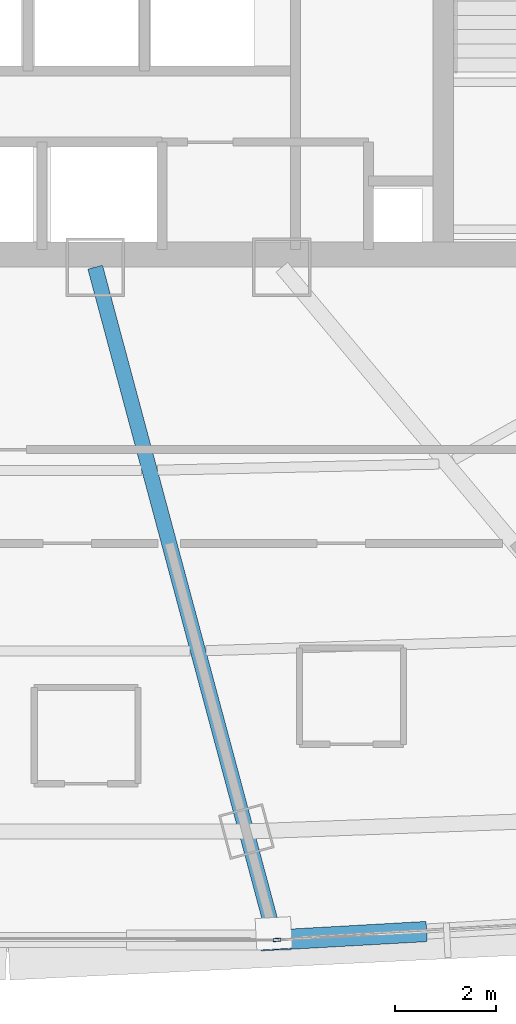
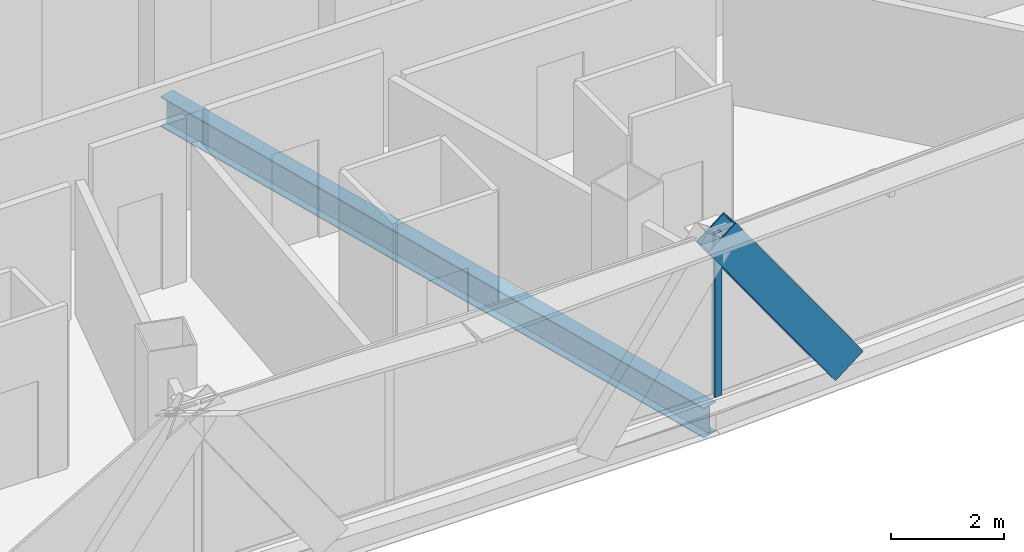
# One storey, part 12 of 40: 2 members, 1 beam, 1 element without a shape of its own.
"""IFC4 building model written with IfcOpenShell, lengths in metres."""

import ifcopenshell
import ifcopenshell.guid

model = None  # the IFC model being written
_history = None  # IfcOwnerHistory: only IFC2X3 demands one
_inside = {}  # id of a spatial element -> (the spatial element, [elements in it])
_under = {}  # id of a project, library or spatial element -> (it, [spatial elements below it])
_declared = {}  # id of a project -> (the project, [libraries it declares])
_typed = {}  # id of a type object -> (the type object, [elements of that type])
_made_of = {}  # id of a material, layer set ... -> (it, [elements and type objects made of it])


def new_model(schema):
    """Start an empty IFC model of exactly this schema.

    Asked for "IFC4X3", IfcOpenShell would pick the latest addendum, in which some entities
    have other attributes; the version numbers below select the first issue.
    IFC2X3 requires an IfcOwnerHistory on every rooted entity: one is made here for all.
    """
    global model, _history
    if schema == "IFC4X3":
        model = ifcopenshell.file(schema_version=(4, 3, 0, 0))
    else:
        model = ifcopenshell.file(schema=schema)
    _inside.clear()
    _under.clear()
    _declared.clear()
    _typed.clear()
    _made_of.clear()
    _history = None
    if model.schema == "IFC2X3":
        org = make("IfcOrganization", Name="unknown")
        user = make(
            "IfcPersonAndOrganization",
            ThePerson=make("IfcPerson", FamilyName="unknown"),
            TheOrganization=org,
        )
        app = make(
            "IfcApplication",
            ApplicationDeveloper=org,
            Version="unknown",
            ApplicationFullName="unknown",
            ApplicationIdentifier="unknown",
        )
        _history = make(
            "IfcOwnerHistory",
            OwningUser=user,
            OwningApplication=app,
            ChangeAction="ADDED",
            CreationDate=0,
        )
    return model


def make(cls, **values):
    """One entity of the class cls with the attributes given. An attribute that is None is left unset."""
    return model.create_entity(
        cls, **{name: value for name, value in values.items() if value is not None}
    )


def rooted(cls, **values):
    """An entity with a GlobalId (a new one), such as an element, a storey or a relation."""
    return make(cls, GlobalId=ifcopenshell.guid.new(), OwnerHistory=_history, **values)


def si_unit(unit_type, name, prefix=None):
    """IfcSIUnit, for example si_unit("LENGTHUNIT", "METRE", prefix="MILLI")."""
    return make("IfcSIUnit", UnitType=unit_type, Prefix=prefix, Name=name)


def assignment(units):
    """IfcUnitAssignment: the units of a project."""
    return None if units is None else make("IfcUnitAssignment", Units=units)


def point(xyz):
    """IfcCartesianPoint."""
    return None if xyz is None else make("IfcCartesianPoint", Coordinates=xyz)


def direction(xyz):
    """IfcDirection."""
    return None if xyz is None else make("IfcDirection", DirectionRatios=xyz)


def frame(location, z_axis=None, x_axis=None):
    """IfcAxis2Placement3D, a coordinate frame: its origin and axes. An axis left out is left unset."""
    return make(
        "IfcAxis2Placement3D",
        Location=point(location),
        Axis=direction(z_axis),
        RefDirection=direction(x_axis),
    )


def frame_2d(location, x_axis=None):
    """IfcAxis2Placement2D, a coordinate frame in the plane: its origin and x axis."""
    return make(
        "IfcAxis2Placement2D", Location=point(location), RefDirection=direction(x_axis)
    )


def origin():
    """The frame at (0, 0, 0) with its axes left unset."""
    return frame((0.0, 0.0, 0.0))


def origin_2d():
    """The frame at (0, 0) in the plane with its x axis left unset."""
    return frame_2d((0.0, 0.0))


def place(relative_to, where):
    """IfcLocalPlacement: puts the frame where relative to a parent placement (None: the world)."""
    return make(
        "IfcLocalPlacement", PlacementRelTo=relative_to, RelativePlacement=where
    )


def context(
    kind, dimensions, precision=None, world=None, true_north=None, identifier=None
):
    """IfcGeometricRepresentationContext, for example the 3D "Model" context."""
    return make(
        "IfcGeometricRepresentationContext",
        ContextIdentifier=identifier,
        ContextType=kind,
        CoordinateSpaceDimension=dimensions,
        Precision=precision,
        WorldCoordinateSystem=world,
        TrueNorth=true_north,
    )


def subcontext(parent, identifier, kind, view, scale=None):
    """IfcGeometricRepresentationSubContext, for example "Body" below "Model"."""
    return make(
        "IfcGeometricRepresentationSubContext",
        ContextIdentifier=identifier,
        ContextType=kind,
        ParentContext=parent,
        TargetScale=scale,
        TargetView=view,
    )


def project(units=None, contexts=None):
    """IfcProject with its units and contexts."""
    return rooted(
        "IfcProject",
        Name="project",
        RepresentationContexts=contexts,
        UnitsInContext=assignment(units),
    )


def spatial(cls, under=None, at=None, **own):
    """A site, building, storey or space (cls), placed at a placement, below another one or the project."""
    s = rooted(cls, ObjectPlacement=at, **own)
    if under is not None:
        _under.setdefault(under.id(), (under, []))[1].append(s)
    return s


def profile(cls, at=None, kind="AREA", **sizes):
    """A parametric profile (cls). Its sizes go by their IFC names, for example OverallWidth=200.0."""
    return make(cls, ProfileType=kind, Position=at, **sizes)


def hollow_rectangle(**sizes):
    """IfcRectangleHollowProfileDef."""
    return profile("IfcRectangleHollowProfileDef", **sizes)


def i_section(**sizes):
    """IfcIShapeProfileDef."""
    return profile("IfcIShapeProfileDef", **sizes)


def extrude(swept, where, along, depth):
    """IfcExtrudedAreaSolid: the profile swept, set in the frame where, extruded along a direction by depth."""
    return make(
        "IfcExtrudedAreaSolid",
        SweptArea=swept,
        Position=where,
        ExtrudedDirection=direction(along),
        Depth=depth,
    )


def shape(context_of_items, identifier, shape_type, items):
    """IfcShapeRepresentation: the items that make up one representation, for example the "Body"."""
    return make(
        "IfcShapeRepresentation",
        ContextOfItems=context_of_items,
        RepresentationIdentifier=identifier,
        RepresentationType=shape_type,
        Items=items,
    )


def source(mapping_origin, context_of_items, identifier, shape_type, items):
    """IfcRepresentationMap: a shape defined once, which mapped items show again and again."""
    return make(
        "IfcRepresentationMap",
        MappingOrigin=mapping_origin,
        MappedRepresentation=shape(context_of_items, identifier, shape_type, items),
    )


def transform(
    local_origin,
    x_axis=None,
    y_axis=None,
    z_axis=None,
    scale=None,
    scale2=None,
    scale3=None,
    uniform=True,
):
    """IfcCartesianTransformationOperator3D, or its non-uniform kind. x_axis, y_axis, z_axis: its Axis1, 2, 3."""
    if uniform:
        return make(
            "IfcCartesianTransformationOperator3D",
            Axis1=direction(x_axis),
            Axis2=direction(y_axis),
            LocalOrigin=point(local_origin),
            Scale=scale,
            Axis3=direction(z_axis),
        )
    return make(
        "IfcCartesianTransformationOperator3DnonUniform",
        Axis1=direction(x_axis),
        Axis2=direction(y_axis),
        LocalOrigin=point(local_origin),
        Scale=scale,
        Axis3=direction(z_axis),
        Scale2=scale2,
        Scale3=scale3,
    )


def mapped(mapping_source, mapping_target):
    """IfcMappedItem: shows the shape of a source again, moved by a transform."""
    return make(
        "IfcMappedItem", MappingSource=mapping_source, MappingTarget=mapping_target
    )


def material(Name=None, Category=None):
    """IfcMaterial."""
    return make("IfcMaterial", Name=Name, Category=Category)


def layer(
    of_material, thickness, ventilated=None, Name=None, Category=None, Priority=None
):
    """IfcMaterialLayer: one layer of a wall or slab, of a material (None: an air gap)."""
    return make(
        "IfcMaterialLayer",
        Material=of_material,
        LayerThickness=thickness,
        IsVentilated=ventilated,
        Name=Name,
        Category=Category,
        Priority=Priority,
    )


def layer_set(layers, Name=None):
    """IfcMaterialLayerSet."""
    return make("IfcMaterialLayerSet", MaterialLayers=layers, LayerSetName=Name)


def material_profile(
    of_material, cross_section, Name=None, Category=None, Priority=None
):
    """IfcMaterialProfile: a cross section and its material."""
    return make(
        "IfcMaterialProfile",
        Name=Name,
        Material=of_material,
        Profile=cross_section,
        Priority=Priority,
        Category=Category,
    )


def profile_set(profiles, Name=None, composite=None):
    """IfcMaterialProfileSet."""
    return make(
        "IfcMaterialProfileSet",
        Name=Name,
        MaterialProfiles=profiles,
        CompositeProfile=composite,
    )


def made_of(thing, what):
    """Note that an element or type object is made of a material, layer set ...; save() writes the relation."""
    if what is not None:
        _made_of.setdefault(what.id(), (what, []))[1].append(thing)
    return thing


def type_object(cls, material=None, **own):
    """A type object (cls), such as IfcWallType, which elements share."""
    return made_of(rooted(cls, **own), material)


def element(
    cls,
    number,
    at=None,
    inside=None,
    cuts=None,
    type_object=None,
    material=None,
    context=None,
    identifier="Body",
    shape_type=None,
    held_by="IfcProductDefinitionShape",
    body=None,
    shapes=None,
    **own,
):
    """One element of the class cls, such as IfcWall. Its Tag is "e" and its number.

    at: its placement. inside: the storey or other place that contains it. cuts: it is an
    opening in that element (IfcRelVoidsElement). A single representation is given by context,
    identifier, shape_type and body (its items); several are given by shapes. held_by: the class
    of the entity that holds the representations. save() writes the other relations.
    """
    e = rooted(cls, Tag="e%d" % number, ObjectPlacement=at, **own)
    if body is not None:
        shapes = [shape(context, identifier, shape_type, body)]
    if shapes is not None:
        e.Representation = make(held_by, Representations=shapes)
    if inside is not None:
        _inside.setdefault(inside.id(), (inside, []))[1].append(e)
    if cuts is not None:
        rooted(
            "IfcRelVoidsElement", RelatingBuildingElement=cuts, RelatedOpeningElement=e
        )
    if type_object is not None:
        _typed.setdefault(type_object.id(), (type_object, []))[1].append(e)
    return made_of(e, material)


def aggregate(whole, parts):
    """IfcRelAggregates: a whole, such as a stair, and the parts it consists of."""
    return rooted("IfcRelAggregates", RelatingObject=whole, RelatedObjects=parts)


def save(model, path):
    """Write the relations noted so far, then the file.

    IfcRelAggregates (storeys below a building ...), IfcRelContainedInSpatialStructure (elements
    in a storey), IfcRelDefinesByType, IfcRelAssociatesMaterial and IfcRelDeclares: one each for
    every whole, place, type object, material and project.
    """
    for whole, parts in _under.values():
        aggregate(whole, parts)
    for where, things in _inside.values():
        rooted(
            "IfcRelContainedInSpatialStructure",
            RelatedElements=things,
            RelatingStructure=where,
        )
    for kind, things in _typed.values():
        rooted("IfcRelDefinesByType", RelatedObjects=things, RelatingType=kind)
    for what, things in _made_of.values():
        rooted("IfcRelAssociatesMaterial", RelatedObjects=things, RelatingMaterial=what)
    for by, libraries in _declared.values():
        rooted("IfcRelDeclares", RelatingContext=by, RelatedDefinitions=libraries)
    model.write(path)


model = new_model("IFC4")

# Units and contexts
model_context = context("Model", 3, precision=1e-05, world=origin(), true_north=direction((0.0, 1.0)))
body_context = subcontext(model_context, "Body", "Model", "MODEL_VIEW")
ifc_project = project(units=[si_unit("LENGTHUNIT", "METRE"), si_unit("AREAUNIT", "SQUARE_METRE"), si_unit("VOLUMEUNIT", "CUBIC_METRE"), si_unit("PLANEANGLEUNIT", "RADIAN"), si_unit("MASSUNIT", "GRAM", prefix="KILO"), si_unit("THERMODYNAMICTEMPERATUREUNIT", "KELVIN"), si_unit("POWERUNIT", "WATT")], contexts=[model_context])

# Site, building, storey
site_placement = place(None, origin())
site = spatial("IfcSite", under=ifc_project, at=site_placement, CompositionType="ELEMENT")
building_placement = place(site_placement, origin())
building = spatial("IfcBuilding", under=site, at=building_placement, Name="Yunzhuo Pagoda Commons", CompositionType="ELEMENT")
storey_placement = place(building_placement, frame((0.0, 0.0, 188.56005859375)))
storey = spatial("IfcBuildingStorey", under=building, at=storey_placement, Name="L47", CompositionType="ELEMENT", Elevation=188.56005859375)

# Beam
ifc_material_1 = material(Name="Structural steel Q355B", Category="steel")
ifc_material_profile_1 = material_profile(ifc_material_1, i_section(OverallWidth=0.300048828125, OverallDepth=0.64990234375, WebThickness=0.012939453125, FlangeThickness=0.02197265625, at=origin_2d()), Name="Structural steel Q355B")
ifc_profile_set_1 = profile_set([ifc_material_profile_1], Name="Structural steel Q355B")
beam_type = type_object("IfcBeamType", Name="B-RG2 Beam HN 650x300x13x22", PredefinedType="BEAM", material=ifc_profile_set_1)
shared_shape_1 = source(origin(), body_context, "Body", "SweptSolid", [
    extrude(i_section(OverallWidth=0.300048828125, OverallDepth=0.64990234375, WebThickness=0.012939453125, FlangeThickness=0.02197265625, at=origin_2d()), origin(), (0.0, 0.0, 1.0), 13.593017578125),
])
beam_placement = place(storey_placement, frame((53.246337890625, 14.1201171875, -0.5849609375), z_axis=(-0.25879713325, 0.965931697286, 0.0), x_axis=(-0.965931697286, -0.25879713325, 0.0)))
element("IfcBeam", 1, at=beam_placement, inside=storey, type_object=beam_type, Name="L47 radial floor girder F1C3", PredefinedType="BEAM", context=body_context, shape_type="MappedRepresentation", body=[
    mapped(shared_shape_1, transform((0.0, 0.0, 0.0), scale=1.0)),
])

# Member
ifc_material_profile_2 = material_profile(ifc_material_1, hollow_rectangle(XDim=0.39990234375, YDim=0.719970703125, WallThickness=0.02392578125, at=origin_2d()), Name="Structural steel Q355B")
ifc_profile_set_2 = profile_set([ifc_material_profile_2], Name="Structural steel Q355B")
member_type_1 = type_object("IfcMemberType", Name="M-DL2 Brace BOX 720x400x24", PredefinedType="BRACE", material=ifc_profile_set_2)
shared_shape_2 = source(origin(), body_context, "Body", "SweptSolid", [
    extrude(hollow_rectangle(XDim=0.39990234375, YDim=0.719970703125, WallThickness=0.02392578125, at=origin_2d()), origin(), (0.0, 0.0, 1.0), 4.658447265625),
])
member_1_placement = place(storey_placement, frame((55.976806640625, 14.12158203125, -0.260009765625), z_axis=(-0.577496412449, -0.03244126321, 0.815748403645), x_axis=(0.056087268686, -0.998425870203, 0.0)))
element("IfcMember", 2, at=member_1_placement, inside=storey, type_object=member_type_1, Name="L47 facade diamond brace F1.3L", PredefinedType="BRACE", context=body_context, shape_type="MappedRepresentation", body=[
    mapped(shared_shape_2, transform((0.0, 0.0, 0.0), scale=1.0)),
])

# Curtain wall, member
ifc_material_2 = material(Name="Anodized aluminium 6063-T6", Category="aluminium")
ifc_layer = layer(ifc_material_2, 0.14990234375)
ifc_layer_set = layer_set([ifc_layer], Name="Anodized aluminium 6063-T6")
curtain_wall_type = type_object("IfcCurtainWallType", Name="CW-MID Mid-Zone Ribbon Curtain Wall", PredefinedType="NOTDEFINED", material=ifc_layer_set)
curtain_wall_placement = place(storey_placement, origin())
curtain_wall = element("IfcCurtainWall", 3, at=curtain_wall_placement, inside=storey, type_object=curtain_wall_type, Name="L47 curtain wall CW-L47-F1B4", PredefinedType="NOTDEFINED")
ifc_material_profile_3 = material_profile(ifc_material_2, hollow_rectangle(XDim=0.06005859375, YDim=0.14990234375, WallThickness=0.00390625, at=origin_2d()), Name="Anodized aluminium 6063-T6")
ifc_profile_set_3 = profile_set([ifc_material_profile_3], Name="Anodized aluminium 6063-T6")
member_type_2 = type_object("IfcMemberType", Name="CW-MID-M Mullion RHS 150x60x4", PredefinedType="MULLION", material=ifc_profile_set_3)
shared_shape_3 = source(origin(), body_context, "Body", "SweptSolid", [
    extrude(hollow_rectangle(XDim=0.06005859375, YDim=0.14990234375, WallThickness=0.00390625, at=origin_2d()), origin(), (0.0, 0.0, 1.0), 3.5400390625),
])
member_2_placement = place(storey_placement, frame((53.31640625, 13.97216796875, 0.0), z_axis=(0.0, 0.0, 1.0), x_axis=(-0.056142665584, 0.998422756702, 0.0)))
member_2 = element("IfcMember", 4, at=member_2_placement, type_object=member_type_2, Name="CW mullion 1", PredefinedType="MULLION", context=body_context, shape_type="MappedRepresentation", body=[
    mapped(shared_shape_3, transform((0.0, 0.0, 0.0), scale=1.0)),
])
aggregate(curtain_wall, [member_2])

save(model, "model.ifc")
